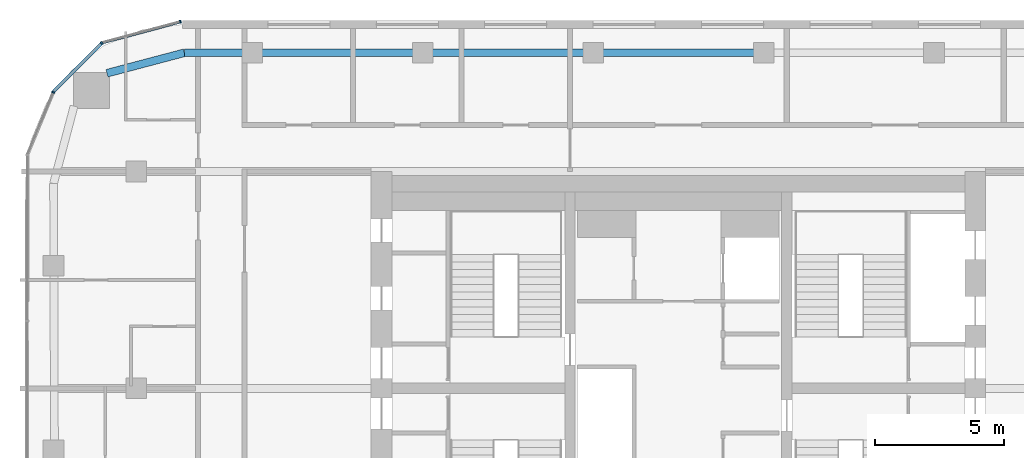
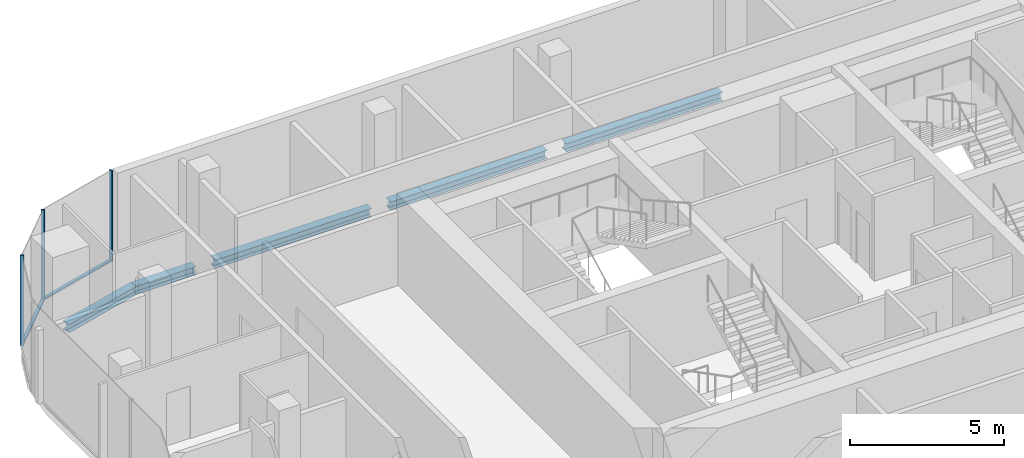
# One storey, part 10 of 21: 5 beams, 5 members, 3 elements without a shape of their own.
"""IFC4 building model written with IfcOpenShell, lengths in metres."""

from ifc_helpers import new_model, si_unit, direction, frame, origin, origin_2d, place, context, subcontext, project, spatial, rectangle, i_section, extrude, material, layer, layer_set, material_profile, profile_set, type_object, element, aggregate, save


model = new_model("IFC4")

# Units and contexts
model_context = context("Model", 3, precision=1e-05, world=origin(), true_north=direction((0.0, 1.0)))
body_context = subcontext(model_context, "Body", "Model", "MODEL_VIEW")
ifc_project = project(units=[si_unit("LENGTHUNIT", "METRE"), si_unit("AREAUNIT", "SQUARE_METRE"), si_unit("VOLUMEUNIT", "CUBIC_METRE"), si_unit("PLANEANGLEUNIT", "RADIAN"), si_unit("MASSUNIT", "GRAM", prefix="KILO")], contexts=[model_context])

# Site, building, storey
site_placement = place(None, origin())
site = spatial("IfcSite", under=ifc_project, at=site_placement, CompositionType="ELEMENT")
building_placement = place(site_placement, origin())
building = spatial("IfcBuilding", under=site, at=building_placement, Name="Marenta Gate Hotel Tower", CompositionType="ELEMENT")
storey_placement = place(building_placement, frame((0.0, 0.0, 202.10009765625)))
storey = spatial("IfcBuildingStorey", under=building, at=storey_placement, Name="L46", CompositionType="ELEMENT", Elevation=202.10009765625)

# Beams
ifc_material_1 = material(Name="Steel S355", Category="steel")
ifc_material_profile_1 = material_profile(ifc_material_1, i_section(OverallWidth=0.300048828125, OverallDepth=0.340087890625, WebThickness=0.011962890625, FlangeThickness=0.021484375, FilletRadius=0.027099609375, at=origin_2d()), Name="HEB 340")
ifc_profile_set_1 = profile_set([ifc_material_profile_1], Name="Steel S355")
beam_type = type_object("IfcBeamType", Name="Edge beam HEB 340", PredefinedType="SPANDREL", material=ifc_profile_set_1)
beam_1_placement = place(storey_placement, frame((-22.132080078125, 20.607177734375, -0.43017578125), z_axis=(0.9667647815, 0.25566747398, 0.0), x_axis=(-0.25566747398, 0.9667647815, 0.0)))
element("IfcBeam", 1, at=beam_1_placement, inside=storey, type_object=beam_type, Name="L46-EB-12", PredefinedType="SPANDREL", context=body_context, shape_type="SweptSolid", body=[
    extrude(i_section(OverallWidth=0.300048828125, OverallDepth=0.340087890625, WebThickness=0.011962890625, FlangeThickness=0.021484375, FilletRadius=0.027099609375, at=origin_2d()), origin(), (0.0, 0.0, 1.0), 3.1005859375),
])
beam_2_placement = place(storey_placement, frame((-19.134521484375, 21.39990234375, -0.43017578125), z_axis=(1.0, 0.0, 0.0), x_axis=(0.0, 1.0, 0.0)))
element("IfcBeam", 2, at=beam_2_placement, inside=storey, type_object=beam_type, Name="L46-EB-13", PredefinedType="SPANDREL", context=body_context, shape_type="SweptSolid", body=[
    extrude(i_section(OverallWidth=0.300048828125, OverallDepth=0.340087890625, WebThickness=0.011962890625, FlangeThickness=0.021484375, FilletRadius=0.027099609375, at=origin_2d()), origin(), (0.0, 0.0, 1.0), 2.267578125),
])
for number, where, z_axis, x_axis, name in (
    (3, (-16.14697265625, 21.39990234375, -0.43017578125), (1.0, 0.0, 0.0), (0.0, 1.0, 0.0), "L46-EB-14"),
    (4, (-9.544189453125, 21.39990234375, -0.43017578125), (1.0, 0.0, 0.0), (0.0, 1.0, 0.0), "L46-EB-15"),
    (5, (-2.94140625, 21.39990234375, -0.43017578125), (1.0, 0.0, 0.0), (0.0, 1.0, 0.0), "L46-EB-16"),
):
    element("IfcBeam", number, at=place(storey_placement, frame(where, z_axis=z_axis, x_axis=x_axis)), inside=storey, type_object=beam_type, Name=name, PredefinedType="SPANDREL", context=body_context, shape_type="SweptSolid", body=[
        extrude(i_section(OverallWidth=0.300048828125, OverallDepth=0.340087890625, WebThickness=0.011962890625, FlangeThickness=0.021484375, FilletRadius=0.027099609375, at=origin_2d()), origin(), (0.0, 0.0, 1.0), 5.8828125),
    ])

# Curtain wall, member
ifc_material_2 = material(Name="Tinted insulated glass in bronze anodised frame", Category="glass")
ifc_layer = layer(ifc_material_2, 0.1201171875)
ifc_layer_set = layer_set([ifc_layer], Name="Tinted insulated glass in bronze anodised frame")
curtain_wall_type = type_object("IfcCurtainWallType", Name="Tower unitised curtain wall CW1", PredefinedType="NOTDEFINED", material=ifc_layer_set)
curtain_wall_1_placement = place(storey_placement, origin())
curtain_wall_1 = element("IfcCurtainWall", 6, at=curtain_wall_1_placement, inside=storey, type_object=curtain_wall_type, Name="CW1 run G00", PredefinedType="NOTDEFINED")
ifc_material_3 = material(Name="Bronze anodised aluminium", Category="aluminium")
ifc_material_profile_2 = material_profile(ifc_material_3, rectangle(XDim=0.1201171875, YDim=0.06005859375, at=origin_2d()), Name="Mullion CW1 60x120 bronze anodised aluminium")
ifc_profile_set_2 = profile_set([ifc_material_profile_2], Name="Bronze anodised aluminium")
member_type_1 = type_object("IfcMemberType", Name="Mullion CW1 60x120 bronze anodised aluminium", PredefinedType="MULLION", material=ifc_profile_set_2)
member_1_placement = place(storey_placement, frame((-19.285400390625, 22.603271484375, 0.0), z_axis=(0.0, 0.0, 1.0), x_axis=(0.258801379183, -0.965930559685, 0.0)))
member_1 = element("IfcMember", 7, at=member_1_placement, type_object=member_type_1, Name="CW1 mullion 1", PredefinedType="MULLION", context=body_context, shape_type="SweptSolid", body=[
    extrude(rectangle(XDim=0.1201171875, YDim=0.06005859375, at=origin_2d()), origin(), (0.0, 0.0, 1.0), 3.599853515625),
])

curtain_wall_2_placement = place(storey_placement, origin())
curtain_wall_2 = element("IfcCurtainWall", 8, at=curtain_wall_2_placement, inside=storey, type_object=curtain_wall_type, Name="CW1 run G01", PredefinedType="NOTDEFINED")
member_2_placement = place(storey_placement, frame((-22.334228515625, 21.77099609375, 0.0), z_axis=(0.0, 0.0, 1.0), x_axis=(0.707106781187, -0.707106781187, 0.0)))
member_2 = element("IfcMember", 9, at=member_2_placement, type_object=member_type_1, Name="CW1 mullion 1", PredefinedType="MULLION", context=body_context, shape_type="SweptSolid", body=[
    extrude(rectangle(XDim=0.1201171875, YDim=0.06005859375, at=origin_2d()), origin(), (0.0, 0.0, 1.0), 3.599853515625),
])

curtain_wall_3_placement = place(storey_placement, origin())
curtain_wall_3 = element("IfcCurtainWall", 10, at=curtain_wall_3_placement, inside=storey, type_object=curtain_wall_type, Name="CW1 run G02", PredefinedType="NOTDEFINED")
member_3_placement = place(storey_placement, frame((-24.215087890625, 19.87353515625, 0.0), z_axis=(0.0, 0.0, 1.0), x_axis=(0.923886433266, -0.382666772044, 0.0)))
member_3 = element("IfcMember", 11, at=member_3_placement, type_object=member_type_1, Name="CW1 mullion 1", PredefinedType="MULLION", context=body_context, shape_type="SweptSolid", body=[
    extrude(rectangle(XDim=0.1201171875, YDim=0.06005859375, at=origin_2d()), origin(), (0.0, 0.0, 1.0), 3.599853515625),
])
aggregate(curtain_wall_3, [member_3])

# Member
ifc_material_4 = material(Name="Bronze anodised aluminium", Category="aluminium")
ifc_material_profile_3 = material_profile(ifc_material_4, rectangle(XDim=0.1201171875, YDim=0.06005859375, at=origin_2d()), Name="Transom CW1 60x120 bronze anodised aluminium")
ifc_profile_set_3 = profile_set([ifc_material_profile_3], Name="Bronze anodised aluminium")
member_type_2 = type_object("IfcMemberType", Name="Transom CW1 60x120 bronze anodised aluminium", PredefinedType="USERDEFINED", material=ifc_profile_set_3)
member_4_placement = place(storey_placement, frame((-19.314453125, 22.595458984375, 0.02978515625), z_axis=(-0.965924882171, -0.258822568574, 0.0), x_axis=(0.258822568574, -0.965924882171, 0.0)))
member_4 = element("IfcMember", 12, at=member_4_placement, type_object=member_type_2, Name="CW1 transom 1.1", ObjectType="TRANSOM", PredefinedType="USERDEFINED", context=body_context, shape_type="SweptSolid", body=[
    extrude(rectangle(XDim=0.1201171875, YDim=0.06005859375, at=origin_2d()), origin(), (0.0, 0.0, 1.0), 3.104248046875),
])

aggregate(curtain_wall_1, [member_1, member_4])

member_5_placement = place(storey_placement, frame((-22.355224609375, 21.749755859375, 0.02978515625), z_axis=(-0.707106781187, -0.707106781187, 0.0), x_axis=(0.707106781187, -0.707106781187, 0.0)))
member_5 = element("IfcMember", 13, at=member_5_placement, type_object=member_type_2, Name="CW1 transom 1.1", ObjectType="TRANSOM", PredefinedType="USERDEFINED", context=body_context, shape_type="SweptSolid", body=[
    extrude(rectangle(XDim=0.1201171875, YDim=0.06005859375, at=origin_2d()), origin(), (0.0, 0.0, 1.0), 2.614013671875),
])

aggregate(curtain_wall_2, [member_2, member_5])

save(model, "model.ifc")
